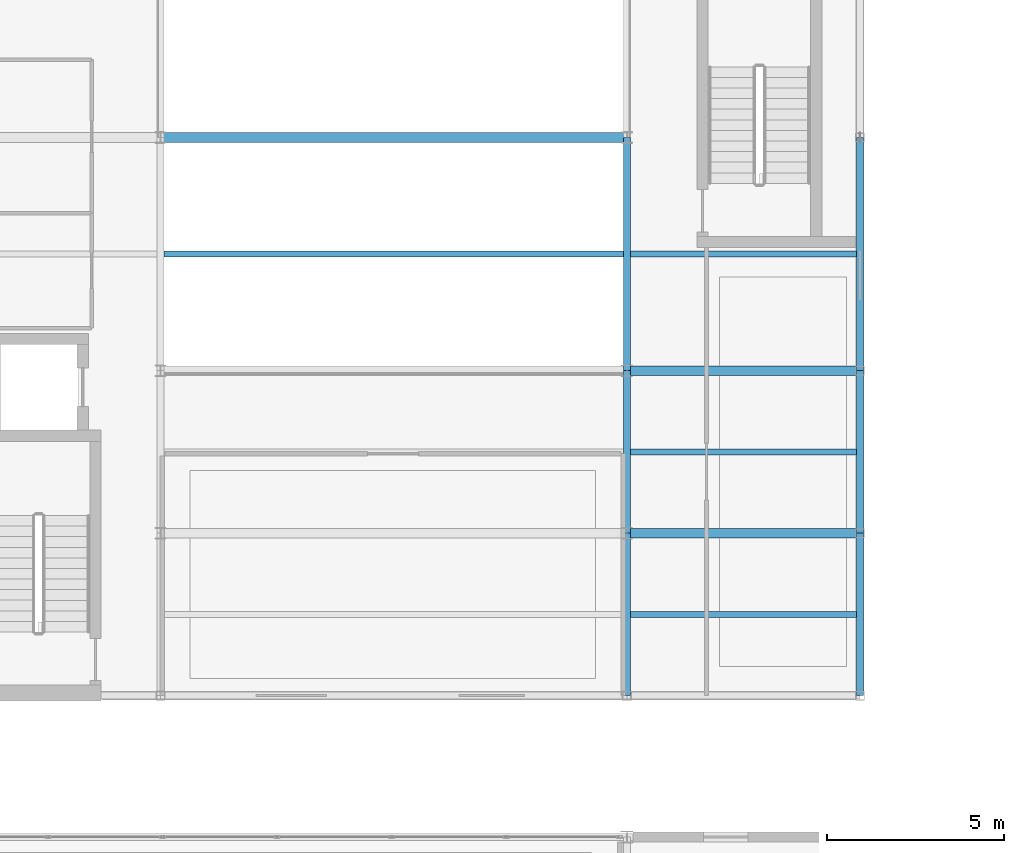
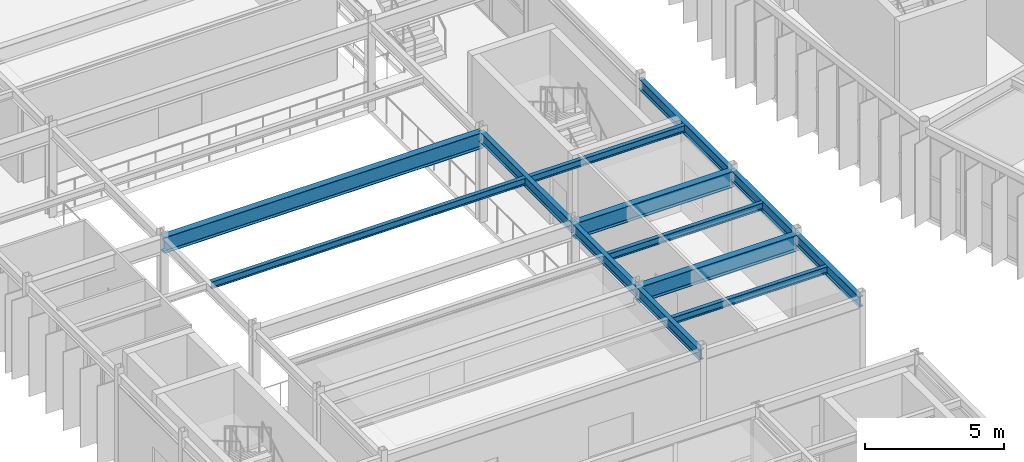
# One storey, part 35 of 147: 13 beams.
"""IFC4 building model written with IfcOpenShell, lengths in metres."""

from ifc_helpers import new_model, si_unit, direction, frame, origin, origin_2d, place, context, subcontext, project, spatial, i_section, extrude, material, material_profile, profile_set, type_object, element, save


model = new_model("IFC4")

# Units and contexts
model_context = context("Model", 3, precision=1e-05, world=origin(), true_north=direction((0.0, 1.0)))
body_context = subcontext(model_context, "Body", "Model", "MODEL_VIEW")
ifc_project = project(units=[si_unit("LENGTHUNIT", "METRE"), si_unit("AREAUNIT", "SQUARE_METRE"), si_unit("VOLUMEUNIT", "CUBIC_METRE"), si_unit("PLANEANGLEUNIT", "RADIAN"), si_unit("MASSUNIT", "GRAM", prefix="KILO")], contexts=[model_context])

# Site, building, storey
site_placement = place(None, origin())
site = spatial("IfcSite", under=ifc_project, at=site_placement, CompositionType="ELEMENT")
building_placement = place(site_placement, origin())
building = spatial("IfcBuilding", under=site, at=building_placement, Name="Karori Crest Natural Sciences Institute", CompositionType="ELEMENT")
storey_placement = place(building_placement, frame((0.0, 0.0, 9.10009765625)))
storey = spatial("IfcBuildingStorey", under=building, at=storey_placement, Name="L02", CompositionType="ELEMENT", Elevation=9.10009765625)

# Beams
ifc_material = material(Name="Structural steel AS/NZS 3679.1 Grade 350", Category="steel")
ifc_material_profile_1 = material_profile(ifc_material, i_section(OverallWidth=0.27490234375, OverallDepth=0.699951171875, WebThickness=0.010009765625, FlangeThickness=0.02001953125, FilletRadius=0.013916015625, at=origin_2d()), Name="700WB150")
ifc_profile_set_1 = profile_set([ifc_material_profile_1], Name="Structural steel AS/NZS 3679.1 Grade 350")
beam_type_1 = type_object("IfcBeamType", Name="BT-03", PredefinedType="BEAM", material=ifc_profile_set_1)
for number, where, z_axis, x_axis, name in (
    (1, (20.60009765625, 35.800048828125, 3.56982421875), (1.0, 0.0, 0.0), (0.0, 1.0, 0.0), "Beam B-1080"),
    (2, (20.60009765625, 40.39990234375, 3.56982421875), (1.0, 0.0, 0.0), (0.0, 1.0, 0.0), "Beam B-1082"),
):
    element("IfcBeam", number, at=place(storey_placement, frame(where, z_axis=z_axis, x_axis=x_axis)), inside=storey, type_object=beam_type_1, Name=name, PredefinedType="BEAM", context=body_context, shape_type="SweptSolid", body=[
        extrude(i_section(OverallWidth=0.27490234375, OverallDepth=0.699951171875, WebThickness=0.010009765625, FlangeThickness=0.02001953125, FilletRadius=0.013916015625, at=origin_2d()), origin(), (0.0, 0.0, 1.0), 6.599853515625),
    ])
beam_1_placement = place(storey_placement, frame((7.39990234375, 47.0, 3.56982421875), z_axis=(1.0, 0.0, 0.0), x_axis=(0.0, 1.0, 0.0)))
element("IfcBeam", 3, at=beam_1_placement, inside=storey, type_object=beam_type_1, Name="Beam B-1084", PredefinedType="BEAM", context=body_context, shape_type="SweptSolid", body=[
    extrude(i_section(OverallWidth=0.27490234375, OverallDepth=0.699951171875, WebThickness=0.010009765625, FlangeThickness=0.02001953125, FilletRadius=0.013916015625, at=origin_2d()), origin(), (0.0, 0.0, 1.0), 13.2001953125),
])
ifc_material_profile_2 = material_profile(ifc_material, i_section(OverallWidth=0.19091796875, OverallDepth=0.4599609375, WebThickness=0.010009765625, FlangeThickness=0.01611328125, FilletRadius=0.010986328125, at=origin_2d()), Name="460UB82.1")
ifc_profile_set_2 = profile_set([ifc_material_profile_2], Name="Structural steel AS/NZS 3679.1 Grade 350")
beam_type_2 = type_object("IfcBeamType", Name="BT-06", PredefinedType="BEAM", material=ifc_profile_set_2)
beam_2_placement = place(storey_placement, frame((20.60009765625, 31.199951171875, 3.68994140625), z_axis=(0.0, 1.0, 0.0), x_axis=(-1.0, 0.0, 0.0)))
element("IfcBeam", 4, at=beam_2_placement, inside=storey, type_object=beam_type_2, Name="Beam B-1110", PredefinedType="BEAM", context=body_context, shape_type="SweptSolid", body=[
    extrude(i_section(OverallWidth=0.19091796875, OverallDepth=0.4599609375, WebThickness=0.010009765625, FlangeThickness=0.01611328125, FilletRadius=0.010986328125, at=origin_2d()), origin(), (0.0, 0.0, 1.0), 4.60009765625),
])
beam_3_placement = place(storey_placement, frame((20.60009765625, 35.800048828125, 3.68994140625), z_axis=(0.0, 1.0, 0.0), x_axis=(-1.0, 0.0, 0.0)))
element("IfcBeam", 5, at=beam_3_placement, inside=storey, type_object=beam_type_2, Name="Beam B-1111", PredefinedType="BEAM", context=body_context, shape_type="SweptSolid", body=[
    extrude(i_section(OverallWidth=0.19091796875, OverallDepth=0.4599609375, WebThickness=0.010009765625, FlangeThickness=0.01611328125, FilletRadius=0.010986328125, at=origin_2d()), origin(), (0.0, 0.0, 1.0), 4.599853515625),
])
beam_4_placement = place(storey_placement, frame((20.60009765625, 40.39990234375, 3.68994140625), z_axis=(0.0, 1.0, 0.0), x_axis=(-1.0, 0.0, 0.0)))
element("IfcBeam", 6, at=beam_4_placement, inside=storey, type_object=beam_type_2, Name="Beam B-1112", PredefinedType="BEAM", context=body_context, shape_type="SweptSolid", body=[
    extrude(i_section(OverallWidth=0.19091796875, OverallDepth=0.4599609375, WebThickness=0.010009765625, FlangeThickness=0.01611328125, FilletRadius=0.010986328125, at=origin_2d()), origin(), (0.0, 0.0, 1.0), 6.60009765625),
])
ifc_material_profile_3 = material_profile(ifc_material, i_section(OverallWidth=0.19091796875, OverallDepth=0.4599609375, WebThickness=0.010009765625, FlangeThickness=0.01611328125, FilletRadius=0.010986328125, at=origin_2d()), Name="460UB82.1")
ifc_profile_set_3 = profile_set([ifc_material_profile_3], Name="Structural steel AS/NZS 3679.1 Grade 350")
beam_type_3 = type_object("IfcBeamType", Name="BT-06-EL", PredefinedType="BEAM", material=ifc_profile_set_3)
beam_5_placement = place(storey_placement, frame((27.199951171875, 31.199951171875, 3.68994140625), z_axis=(0.0, 1.0, 0.0), x_axis=(-1.0, 0.0, 0.0)))
element("IfcBeam", 7, at=beam_5_placement, inside=storey, type_object=beam_type_3, Name="Beam B-1117", PredefinedType="BEAM", context=body_context, shape_type="SweptSolid", body=[
    extrude(i_section(OverallWidth=0.19091796875, OverallDepth=0.4599609375, WebThickness=0.010009765625, FlangeThickness=0.01611328125, FilletRadius=0.010986328125, at=origin_2d()), origin(), (0.0, 0.0, 1.0), 4.60009765625),
])
beam_6_placement = place(storey_placement, frame((27.199951171875, 35.800048828125, 3.68994140625), z_axis=(0.0, 1.0, 0.0), x_axis=(-1.0, 0.0, 0.0)))
element("IfcBeam", 8, at=beam_6_placement, inside=storey, type_object=beam_type_3, Name="Beam B-1118", PredefinedType="BEAM", context=body_context, shape_type="SweptSolid", body=[
    extrude(i_section(OverallWidth=0.19091796875, OverallDepth=0.4599609375, WebThickness=0.010009765625, FlangeThickness=0.01611328125, FilletRadius=0.010986328125, at=origin_2d()), origin(), (0.0, 0.0, 1.0), 4.599853515625),
])
beam_7_placement = place(storey_placement, frame((27.199951171875, 40.39990234375, 3.68994140625), z_axis=(0.0, 1.0, 0.0), x_axis=(-1.0, 0.0, 0.0)))
element("IfcBeam", 9, at=beam_7_placement, inside=storey, type_object=beam_type_3, Name="Beam B-1119", PredefinedType="BEAM", context=body_context, shape_type="SweptSolid", body=[
    extrude(i_section(OverallWidth=0.19091796875, OverallDepth=0.4599609375, WebThickness=0.010009765625, FlangeThickness=0.01611328125, FilletRadius=0.010986328125, at=origin_2d()), origin(), (0.0, 0.0, 1.0), 6.60009765625),
])
ifc_material_profile_4 = material_profile(ifc_material, i_section(OverallWidth=0.166015625, OverallDepth=0.306884765625, WebThickness=0.006591796875, FlangeThickness=0.01171875, FilletRadius=0.010986328125, at=origin_2d()), Name="310UB46.2")
ifc_profile_set_4 = profile_set([ifc_material_profile_4], Name="Structural steel AS/NZS 3679.1 Grade 350")
beam_type_4 = type_object("IfcBeamType", Name="BT-09", PredefinedType="BEAM", material=ifc_profile_set_4)
beam_8_placement = place(storey_placement, frame((7.49560546875, 43.699951171875, 3.766357421875), z_axis=(1.0, 0.0, 0.0), x_axis=(0.0, 1.0, 0.0)))
element("IfcBeam", 10, at=beam_8_placement, inside=storey, type_object=beam_type_4, Name="Beam B-1131", PredefinedType="BEAM", context=body_context, shape_type="SweptSolid", body=[
    extrude(i_section(OverallWidth=0.166015625, OverallDepth=0.306884765625, WebThickness=0.006591796875, FlangeThickness=0.01171875, FilletRadius=0.010986328125, at=origin_2d()), origin(), (0.0, 0.0, 1.0), 13.0087890625),
])
for number, where, z_axis, x_axis, name in (
    (11, (20.695556640625, 33.5, 3.766357421875), (1.0, 0.0, 0.0), (0.0, 1.0, 0.0), "Beam B-1136"),
    (12, (20.695556640625, 38.10009765625, 3.766357421875), (1.0, 0.0, 0.0), (0.0, 1.0, 0.0), "Beam B-1137"),
    (13, (20.695556640625, 43.699951171875, 3.766357421875), (1.0, 0.0, 0.0), (0.0, 1.0, 0.0), "Beam B-1138"),
):
    element("IfcBeam", number, at=place(storey_placement, frame(where, z_axis=z_axis, x_axis=x_axis)), inside=storey, type_object=beam_type_4, Name=name, PredefinedType="BEAM", context=body_context, shape_type="SweptSolid", body=[
        extrude(i_section(OverallWidth=0.166015625, OverallDepth=0.306884765625, WebThickness=0.006591796875, FlangeThickness=0.01171875, FilletRadius=0.010986328125, at=origin_2d()), origin(), (0.0, 0.0, 1.0), 6.408935546875),
    ])

save(model, "model.ifc")
